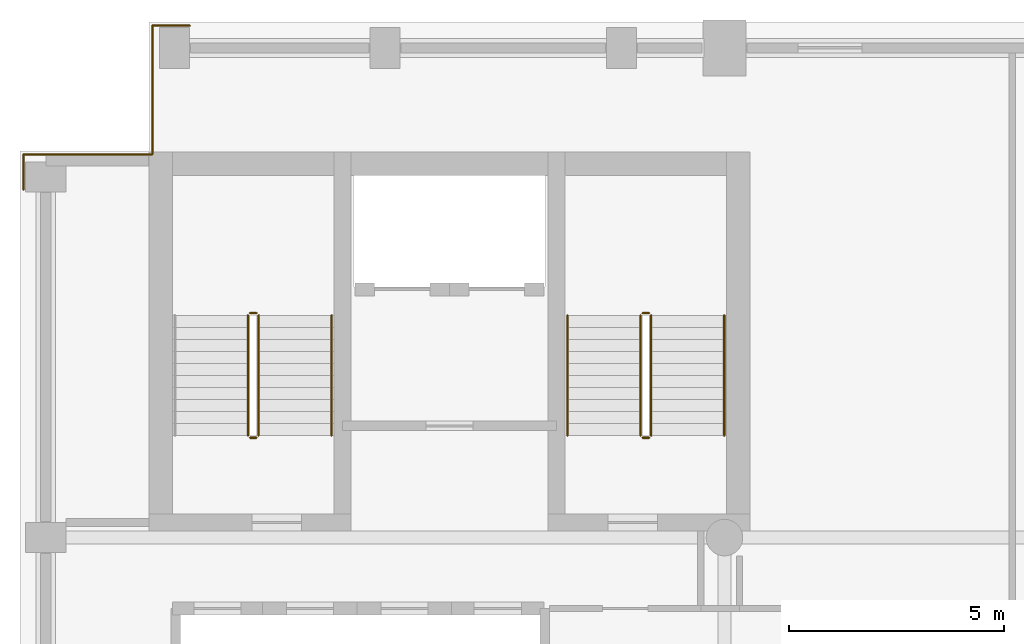
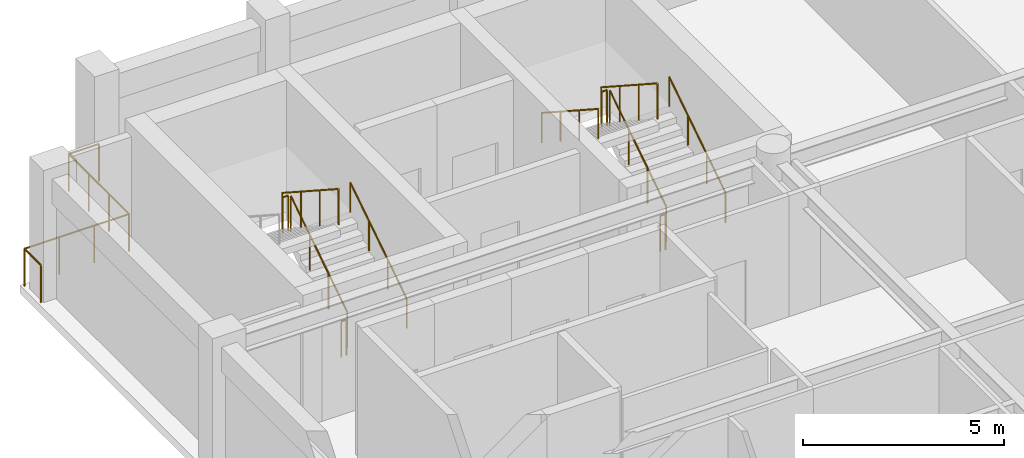
# One storey, part 8 of 9: 15 railings.
"""IFC4 building model written with IfcOpenShell, lengths in metres."""

from ifc_helpers import new_model, si_unit, direction, frame, origin, origin_2d, place, context, subcontext, project, spatial, circle, extrude, material, type_object, element, save


model = new_model("IFC4")

# Units and contexts
model_context = context("Model", 3, precision=1e-05, world=origin(), true_north=direction((0.0, 1.0)))
body_context = subcontext(model_context, "Body", "Model", "MODEL_VIEW")
ifc_project = project(units=[si_unit("LENGTHUNIT", "METRE"), si_unit("AREAUNIT", "SQUARE_METRE"), si_unit("VOLUMEUNIT", "CUBIC_METRE"), si_unit("PLANEANGLEUNIT", "RADIAN"), si_unit("MASSUNIT", "GRAM", prefix="KILO")], contexts=[model_context])

# Site, building, storey
site_placement = place(None, origin())
site = spatial("IfcSite", under=ifc_project, at=site_placement, CompositionType="ELEMENT")
building_placement = place(site_placement, origin())
building = spatial("IfcBuilding", under=site, at=building_placement, Name="Sulina Concourse Tower", CompositionType="ELEMENT")
storey_placement = place(building_placement, frame((0.0, 0.0, 276.60009765625)))
storey = spatial("IfcBuildingStorey", under=building, at=storey_placement, Name="L67", CompositionType="ELEMENT", Elevation=276.60009765625)

# Railings
ifc_material_1 = material(Name="Galvanised steel railing", Category="steel")
railing_type_1 = type_object("IfcRailingType", Name="Core Stair Steel Guardrail 1150mm", PredefinedType="GUARDRAIL", material=ifc_material_1)
railing_1_placement = place(storey_placement, frame((0.080078125, 42.10009765625, 0.0)))
element("IfcRailing", 1, at=railing_1_placement, inside=storey, type_object=railing_type_1, Name="L67 perimeter edge safety guardrail NW1", PredefinedType="GUARDRAIL", context=body_context, shape_type="SweptSolid", body=[
    extrude(circle(Radius=0.02392578125, at=origin_2d()), frame((0.0, 0.0, 1.1259765625), z_axis=(0.0, 1.0, 0.0), x_axis=(-1.0, 0.0, 0.0)), (0.0, 0.0, 1.0), 0.81982421875),
    extrude(circle(Radius=0.02099609375, at=origin_2d()), origin(), (0.0, 0.0, 1.0), 1.101806640625),
    extrude(circle(Radius=0.02099609375, at=origin_2d()), frame((0.0, 0.81982421875, 0.0)), (0.0, 0.0, 1.0), 1.101806640625),
])
railing_2_placement = place(storey_placement, frame((0.080078125, 42.919921875, 0.0)))
element("IfcRailing", 2, at=railing_2_placement, inside=storey, type_object=railing_type_1, Name="L67 perimeter edge safety guardrail NW2", PredefinedType="GUARDRAIL", context=body_context, shape_type="SweptSolid", body=[
    extrude(circle(Radius=0.02392578125, at=origin_2d()), frame((0.0, 0.0, 1.1259765625), z_axis=(1.0, 0.0, 0.0), x_axis=(0.0, 1.0, 0.0)), (0.0, 0.0, 1.0), 3.0),
    extrude(circle(Radius=0.02099609375, at=origin_2d()), origin(), (0.0, 0.0, 1.0), 1.101806640625),
    extrude(circle(Radius=0.02099609375, at=origin_2d()), frame((1.0, 0.0, 0.0)), (0.0, 0.0, 1.0), 1.101806640625),
    extrude(circle(Radius=0.02099609375, at=origin_2d()), frame((2.0, 0.0, 0.0)), (0.0, 0.0, 1.0), 1.101806640625),
    extrude(circle(Radius=0.02099609375, at=origin_2d()), frame((3.0, 0.0, 0.0)), (0.0, 0.0, 1.0), 1.101806640625),
])
railing_3_placement = place(storey_placement, frame((3.080078125, 42.919921875, 0.0)))
element("IfcRailing", 3, at=railing_3_placement, inside=storey, type_object=railing_type_1, Name="L67 perimeter edge safety guardrail NW3", PredefinedType="GUARDRAIL", context=body_context, shape_type="SweptSolid", body=[
    extrude(circle(Radius=0.02392578125, at=origin_2d()), frame((0.0, 0.0, 1.1259765625), z_axis=(0.0, 1.0, 0.0), x_axis=(-1.0, 0.0, 0.0)), (0.0, 0.0, 1.0), 3.0),
    extrude(circle(Radius=0.02099609375, at=origin_2d()), origin(), (0.0, 0.0, 1.0), 1.101806640625),
    extrude(circle(Radius=0.02099609375, at=origin_2d()), frame((0.0, 1.0, 0.0)), (0.0, 0.0, 1.0), 1.101806640625),
    extrude(circle(Radius=0.02099609375, at=origin_2d()), frame((0.0, 2.0, 0.0)), (0.0, 0.0, 1.0), 1.101806640625),
    extrude(circle(Radius=0.02099609375, at=origin_2d()), frame((0.0, 3.0, 0.0)), (0.0, 0.0, 1.0), 1.101806640625),
])
railing_4_placement = place(storey_placement, frame((3.080078125, 45.919921875, 0.0)))
element("IfcRailing", 4, at=railing_4_placement, inside=storey, type_object=railing_type_1, Name="L67 perimeter edge safety guardrail NW4", PredefinedType="GUARDRAIL", context=body_context, shape_type="SweptSolid", body=[
    extrude(circle(Radius=0.02392578125, at=origin_2d()), frame((0.0, 0.0, 1.1259765625), z_axis=(1.0, 0.0, 0.0), x_axis=(0.0, 1.0, 0.0)), (0.0, 0.0, 1.0), 0.869873046875),
    extrude(circle(Radius=0.02099609375, at=origin_2d()), origin(), (0.0, 0.0, 1.0), 1.101806640625),
    extrude(circle(Radius=0.02099609375, at=origin_2d()), frame((0.869873046875, 0.0, 0.0)), (0.0, 0.0, 1.0), 1.101806640625),
])
railing_5_placement = place(storey_placement, frame((5.554931640625, 36.375, 0.181640625)))
element("IfcRailing", 5, at=railing_5_placement, inside=storey, type_object=railing_type_1, Name="L67 ST-1 stair guard 1", PredefinedType="GUARDRAIL", context=body_context, shape_type="SweptSolid", body=[
    extrude(circle(Radius=0.02392578125, at=origin_2d()), frame((0.0, 0.0, 1.076171875), z_axis=(0.0, 0.838672427954, 0.544636170843), x_axis=(-1.0, 0.0, 0.0)), (0.0, 0.0, 1.0), 3.338623046875),
    extrude(circle(Radius=0.02099609375, at=origin_2d()), origin(), (0.0, 0.0, 1.0), 1.052001953125),
    extrude(circle(Radius=0.02099609375, at=origin_2d()), frame((0.0, 0.933349609375, 0.606201171875)), (0.0, 0.0, 1.0), 1.052001953125),
    extrude(circle(Radius=0.02099609375, at=origin_2d()), frame((0.0, 1.86669921875, 1.212158203125)), (0.0, 0.0, 1.0), 1.052001953125),
    extrude(circle(Radius=0.02099609375, at=origin_2d()), frame((0.0, 2.800048828125, 1.818359375)), (0.0, 0.0, 1.0), 1.052001953125),
])
railing_6_placement = place(storey_placement, frame((5.5048828125, 39.22509765625, 2.0)))
element("IfcRailing", 6, at=railing_6_placement, inside=storey, type_object=railing_type_1, Name="L67 ST-1 stair guard 2", PredefinedType="GUARDRAIL", context=body_context, shape_type="SweptSolid", body=[
    extrude(circle(Radius=0.02392578125, at=origin_2d()), frame((0.0, 0.0, 1.076171875), z_axis=(-1.0, 0.0, 0.0), x_axis=(0.0, -1.0, 0.0)), (0.0, 0.0, 1.0), 0.14990234375),
    extrude(circle(Radius=0.02099609375, at=origin_2d()), origin(), (0.0, 0.0, 1.0), 1.052001953125),
    extrude(circle(Radius=0.02099609375, at=origin_2d()), frame((-0.14990234375, 0.0, 0.0)), (0.0, 0.0, 1.0), 1.052001953125),
])
railing_7_placement = place(storey_placement, frame((5.304931640625, 39.175048828125, 2.181640625)))
element("IfcRailing", 7, at=railing_7_placement, inside=storey, type_object=railing_type_1, Name="L67 ST-1 stair guard 3", PredefinedType="GUARDRAIL", context=body_context, shape_type="SweptSolid", body=[
    extrude(circle(Radius=0.02392578125, at=origin_2d()), frame((0.0, 0.0, 1.076171875), z_axis=(0.0, -0.838672427954, 0.544636170843), x_axis=(1.0, 0.0, 0.0)), (0.0, 0.0, 1.0), 3.338623046875),
    extrude(circle(Radius=0.02099609375, at=origin_2d()), origin(), (0.0, 0.0, 1.0), 1.052001953125),
    extrude(circle(Radius=0.02099609375, at=origin_2d()), frame((0.0, -0.933349609375, 0.606201171875)), (0.0, 0.0, 1.0), 1.052001953125),
    extrude(circle(Radius=0.02099609375, at=origin_2d()), frame((0.0, -1.86669921875, 1.212158203125)), (0.0, 0.0, 1.0), 1.052001953125),
    extrude(circle(Radius=0.02099609375, at=origin_2d()), frame((0.0, -2.800048828125, 1.818359375)), (0.0, 0.0, 1.0), 1.052001953125),
])
railing_8_placement = place(storey_placement, frame((5.5048828125, 36.324951171875, 0.0)))
element("IfcRailing", 8, at=railing_8_placement, inside=storey, type_object=railing_type_1, Name="L67 ST-1 stair guard 4", PredefinedType="GUARDRAIL", context=body_context, shape_type="SweptSolid", body=[
    extrude(circle(Radius=0.02392578125, at=origin_2d()), frame((0.0, 0.0, 1.076171875), z_axis=(-1.0, 0.0, 0.0), x_axis=(0.0, -1.0, 0.0)), (0.0, 0.0, 1.0), 0.14990234375),
    extrude(circle(Radius=0.02099609375, at=origin_2d()), origin(), (0.0, 0.0, 1.0), 1.052001953125),
    extrude(circle(Radius=0.02099609375, at=origin_2d()), frame((-0.14990234375, 0.0, 0.0)), (0.0, 0.0, 1.0), 1.052001953125),
])
railing_9_placement = place(storey_placement, frame((14.695068359375, 36.375, 0.181640625)))
element("IfcRailing", 9, at=railing_9_placement, inside=storey, type_object=railing_type_1, Name="L67 ST-2 stair guard 1", PredefinedType="GUARDRAIL", context=body_context, shape_type="SweptSolid", body=[
    extrude(circle(Radius=0.02392578125, at=origin_2d()), frame((0.0, 0.0, 1.076171875), z_axis=(0.0, 0.838672427954, 0.544636170843), x_axis=(-1.0, 0.0, 0.0)), (0.0, 0.0, 1.0), 3.338623046875),
    extrude(circle(Radius=0.02099609375, at=origin_2d()), origin(), (0.0, 0.0, 1.0), 1.052001953125),
    extrude(circle(Radius=0.02099609375, at=origin_2d()), frame((0.0, 0.933349609375, 0.606201171875)), (0.0, 0.0, 1.0), 1.052001953125),
    extrude(circle(Radius=0.02099609375, at=origin_2d()), frame((0.0, 1.86669921875, 1.212158203125)), (0.0, 0.0, 1.0), 1.052001953125),
    extrude(circle(Radius=0.02099609375, at=origin_2d()), frame((0.0, 2.800048828125, 1.818359375)), (0.0, 0.0, 1.0), 1.052001953125),
])
railing_10_placement = place(storey_placement, frame((14.64501953125, 39.22509765625, 2.0)))
element("IfcRailing", 10, at=railing_10_placement, inside=storey, type_object=railing_type_1, Name="L67 ST-2 stair guard 2", PredefinedType="GUARDRAIL", context=body_context, shape_type="SweptSolid", body=[
    extrude(circle(Radius=0.02392578125, at=origin_2d()), frame((0.0, 0.0, 1.076171875), z_axis=(-1.0, 0.0, 0.0), x_axis=(0.0, -1.0, 0.0)), (0.0, 0.0, 1.0), 0.14990234375),
    extrude(circle(Radius=0.02099609375, at=origin_2d()), origin(), (0.0, 0.0, 1.0), 1.052001953125),
    extrude(circle(Radius=0.02099609375, at=origin_2d()), frame((-0.14990234375, 0.0, 0.0)), (0.0, 0.0, 1.0), 1.052001953125),
])
railing_11_placement = place(storey_placement, frame((14.445068359375, 39.175048828125, 2.181640625)))
element("IfcRailing", 11, at=railing_11_placement, inside=storey, type_object=railing_type_1, Name="L67 ST-2 stair guard 3", PredefinedType="GUARDRAIL", context=body_context, shape_type="SweptSolid", body=[
    extrude(circle(Radius=0.02392578125, at=origin_2d()), frame((0.0, 0.0, 1.076171875), z_axis=(0.0, -0.838672427954, 0.544636170843), x_axis=(1.0, 0.0, 0.0)), (0.0, 0.0, 1.0), 3.338623046875),
    extrude(circle(Radius=0.02099609375, at=origin_2d()), origin(), (0.0, 0.0, 1.0), 1.052001953125),
    extrude(circle(Radius=0.02099609375, at=origin_2d()), frame((0.0, -0.933349609375, 0.606201171875)), (0.0, 0.0, 1.0), 1.052001953125),
    extrude(circle(Radius=0.02099609375, at=origin_2d()), frame((0.0, -1.86669921875, 1.212158203125)), (0.0, 0.0, 1.0), 1.052001953125),
    extrude(circle(Radius=0.02099609375, at=origin_2d()), frame((0.0, -2.800048828125, 1.818359375)), (0.0, 0.0, 1.0), 1.052001953125),
])
railing_12_placement = place(storey_placement, frame((14.64501953125, 36.324951171875, 0.0)))
element("IfcRailing", 12, at=railing_12_placement, inside=storey, type_object=railing_type_1, Name="L67 ST-2 stair guard 4", PredefinedType="GUARDRAIL", context=body_context, shape_type="SweptSolid", body=[
    extrude(circle(Radius=0.02392578125, at=origin_2d()), frame((0.0, 0.0, 1.076171875), z_axis=(-1.0, 0.0, 0.0), x_axis=(0.0, -1.0, 0.0)), (0.0, 0.0, 1.0), 0.14990234375),
    extrude(circle(Radius=0.02099609375, at=origin_2d()), origin(), (0.0, 0.0, 1.0), 1.052001953125),
    extrude(circle(Radius=0.02099609375, at=origin_2d()), frame((-0.14990234375, 0.0, 0.0)), (0.0, 0.0, 1.0), 1.052001953125),
])
ifc_material_2 = material(Name="Galvanised steel railing", Category="steel")
railing_type_2 = type_object("IfcRailingType", Name="Stair Wall Steel Handrail 920mm", PredefinedType="HANDRAIL", material=ifc_material_2)
for number, where, name in (
    (13, (7.2548828125, 36.375, 0.181640625), "L67 ST-1 stair handrail 1"),
    (14, (16.39501953125, 36.375, 0.181640625), "L67 ST-2 stair handrail 1"),
):
    element("IfcRailing", number, at=place(storey_placement, frame(where)), inside=storey, type_object=railing_type_2, Name=name, PredefinedType="HANDRAIL", context=body_context, shape_type="SweptSolid", body=[
        extrude(circle(Radius=0.02392578125, at=origin_2d()), frame((0.0, 0.0, 0.89599609375), z_axis=(0.0, 0.838672427954, 0.544636170843), x_axis=(-1.0, 0.0, 0.0)), (0.0, 0.0, 1.0), 3.338623046875),
        extrude(circle(Radius=0.02099609375, at=origin_2d()), origin(), (0.0, 0.0, 1.0), 0.871826171875),
        extrude(circle(Radius=0.02099609375, at=origin_2d()), frame((0.0, 0.933349609375, 0.606201171875)), (0.0, 0.0, 1.0), 0.871826171875),
        extrude(circle(Radius=0.02099609375, at=origin_2d()), frame((0.0, 1.86669921875, 1.212158203125)), (0.0, 0.0, 1.0), 0.871826171875),
        extrude(circle(Radius=0.02099609375, at=origin_2d()), frame((0.0, 2.800048828125, 1.818359375)), (0.0, 0.0, 1.0), 0.871826171875),
    ])
railing_13_placement = place(storey_placement, frame((12.7451171875, 39.175048828125, 2.181640625)))
element("IfcRailing", 15, at=railing_13_placement, inside=storey, type_object=railing_type_2, Name="L67 ST-2 stair handrail 2", PredefinedType="HANDRAIL", context=body_context, shape_type="SweptSolid", body=[
    extrude(circle(Radius=0.02392578125, at=origin_2d()), frame((0.0, 0.0, 0.89599609375), z_axis=(0.0, -0.838672427954, 0.544636170843), x_axis=(1.0, 0.0, 0.0)), (0.0, 0.0, 1.0), 3.338623046875),
    extrude(circle(Radius=0.02099609375, at=origin_2d()), origin(), (0.0, 0.0, 1.0), 0.871826171875),
    extrude(circle(Radius=0.02099609375, at=origin_2d()), frame((0.0, -0.933349609375, 0.606201171875)), (0.0, 0.0, 1.0), 0.871826171875),
    extrude(circle(Radius=0.02099609375, at=origin_2d()), frame((0.0, -1.86669921875, 1.212158203125)), (0.0, 0.0, 1.0), 0.871826171875),
    extrude(circle(Radius=0.02099609375, at=origin_2d()), frame((0.0, -2.800048828125, 1.818359375)), (0.0, 0.0, 1.0), 0.871826171875),
])

save(model, "model.ifc")
